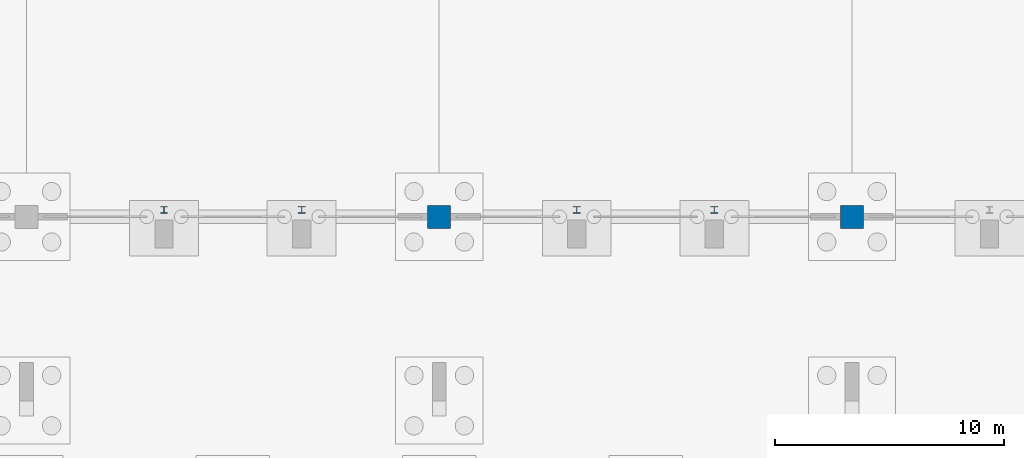
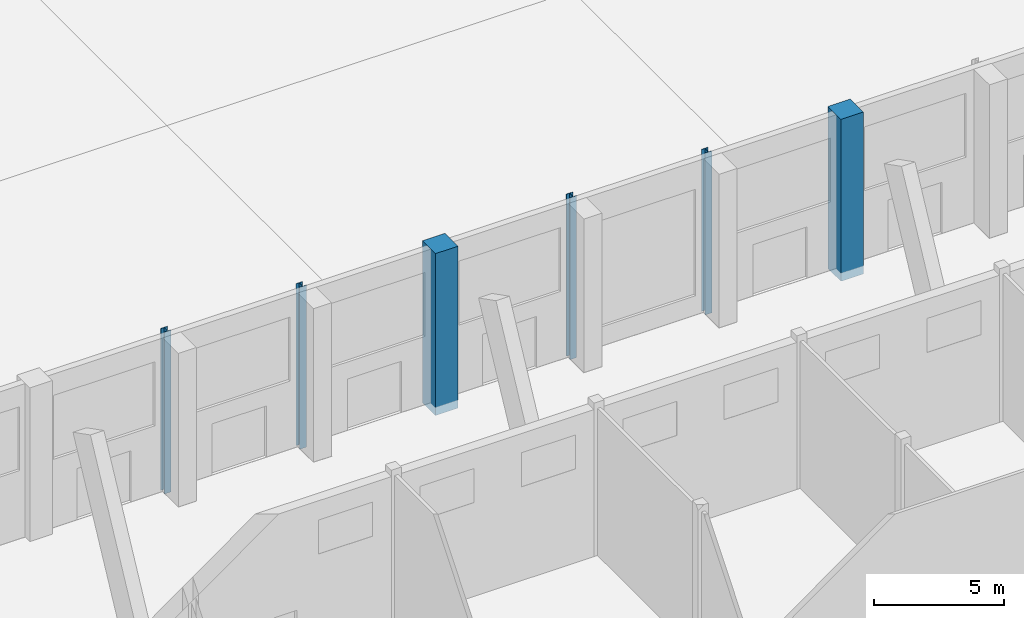
# One storey, part 31 of 239: 6 columns.
"""IFC4 building model written with IfcOpenShell, lengths in metres."""

import ifcopenshell
import ifcopenshell.guid

model = None  # the IFC model being written
_history = None  # IfcOwnerHistory: only IFC2X3 demands one
_inside = {}  # id of a spatial element -> (the spatial element, [elements in it])
_under = {}  # id of a project, library or spatial element -> (it, [spatial elements below it])
_declared = {}  # id of a project -> (the project, [libraries it declares])
_typed = {}  # id of a type object -> (the type object, [elements of that type])
_made_of = {}  # id of a material, layer set ... -> (it, [elements and type objects made of it])


def new_model(schema):
    """Start an empty IFC model of exactly this schema.

    Asked for "IFC4X3", IfcOpenShell would pick the latest addendum, in which some entities
    have other attributes; the version numbers below select the first issue.
    IFC2X3 requires an IfcOwnerHistory on every rooted entity: one is made here for all.
    """
    global model, _history
    if schema == "IFC4X3":
        model = ifcopenshell.file(schema_version=(4, 3, 0, 0))
    else:
        model = ifcopenshell.file(schema=schema)
    _inside.clear()
    _under.clear()
    _declared.clear()
    _typed.clear()
    _made_of.clear()
    _history = None
    if model.schema == "IFC2X3":
        org = make("IfcOrganization", Name="unknown")
        user = make(
            "IfcPersonAndOrganization",
            ThePerson=make("IfcPerson", FamilyName="unknown"),
            TheOrganization=org,
        )
        app = make(
            "IfcApplication",
            ApplicationDeveloper=org,
            Version="unknown",
            ApplicationFullName="unknown",
            ApplicationIdentifier="unknown",
        )
        _history = make(
            "IfcOwnerHistory",
            OwningUser=user,
            OwningApplication=app,
            ChangeAction="ADDED",
            CreationDate=0,
        )
    return model


def make(cls, **values):
    """One entity of the class cls with the attributes given. An attribute that is None is left unset."""
    return model.create_entity(
        cls, **{name: value for name, value in values.items() if value is not None}
    )


def rooted(cls, **values):
    """An entity with a GlobalId (a new one), such as an element, a storey or a relation."""
    return make(cls, GlobalId=ifcopenshell.guid.new(), OwnerHistory=_history, **values)


def si_unit(unit_type, name, prefix=None):
    """IfcSIUnit, for example si_unit("LENGTHUNIT", "METRE", prefix="MILLI")."""
    return make("IfcSIUnit", UnitType=unit_type, Prefix=prefix, Name=name)


def assignment(units):
    """IfcUnitAssignment: the units of a project."""
    return None if units is None else make("IfcUnitAssignment", Units=units)


def point(xyz):
    """IfcCartesianPoint."""
    return None if xyz is None else make("IfcCartesianPoint", Coordinates=xyz)


def direction(xyz):
    """IfcDirection."""
    return None if xyz is None else make("IfcDirection", DirectionRatios=xyz)


def frame(location, z_axis=None, x_axis=None):
    """IfcAxis2Placement3D, a coordinate frame: its origin and axes. An axis left out is left unset."""
    return make(
        "IfcAxis2Placement3D",
        Location=point(location),
        Axis=direction(z_axis),
        RefDirection=direction(x_axis),
    )


def frame_2d(location, x_axis=None):
    """IfcAxis2Placement2D, a coordinate frame in the plane: its origin and x axis."""
    return make(
        "IfcAxis2Placement2D", Location=point(location), RefDirection=direction(x_axis)
    )


def origin():
    """The frame at (0, 0, 0) with its axes left unset."""
    return frame((0.0, 0.0, 0.0))


def origin_2d():
    """The frame at (0, 0) in the plane with its x axis left unset."""
    return frame_2d((0.0, 0.0))


def place(relative_to, where):
    """IfcLocalPlacement: puts the frame where relative to a parent placement (None: the world)."""
    return make(
        "IfcLocalPlacement", PlacementRelTo=relative_to, RelativePlacement=where
    )


def context(
    kind, dimensions, precision=None, world=None, true_north=None, identifier=None
):
    """IfcGeometricRepresentationContext, for example the 3D "Model" context."""
    return make(
        "IfcGeometricRepresentationContext",
        ContextIdentifier=identifier,
        ContextType=kind,
        CoordinateSpaceDimension=dimensions,
        Precision=precision,
        WorldCoordinateSystem=world,
        TrueNorth=true_north,
    )


def subcontext(parent, identifier, kind, view, scale=None):
    """IfcGeometricRepresentationSubContext, for example "Body" below "Model"."""
    return make(
        "IfcGeometricRepresentationSubContext",
        ContextIdentifier=identifier,
        ContextType=kind,
        ParentContext=parent,
        TargetScale=scale,
        TargetView=view,
    )


def project(units=None, contexts=None):
    """IfcProject with its units and contexts."""
    return rooted(
        "IfcProject",
        Name="project",
        RepresentationContexts=contexts,
        UnitsInContext=assignment(units),
    )


def spatial(cls, under=None, at=None, **own):
    """A site, building, storey or space (cls), placed at a placement, below another one or the project."""
    s = rooted(cls, ObjectPlacement=at, **own)
    if under is not None:
        _under.setdefault(under.id(), (under, []))[1].append(s)
    return s


def profile(cls, at=None, kind="AREA", **sizes):
    """A parametric profile (cls). Its sizes go by their IFC names, for example OverallWidth=200.0."""
    return make(cls, ProfileType=kind, Position=at, **sizes)


def rectangle(**sizes):
    """IfcRectangleProfileDef."""
    return profile("IfcRectangleProfileDef", **sizes)


def i_section(**sizes):
    """IfcIShapeProfileDef."""
    return profile("IfcIShapeProfileDef", **sizes)


def extrude(swept, where, along, depth):
    """IfcExtrudedAreaSolid: the profile swept, set in the frame where, extruded along a direction by depth."""
    return make(
        "IfcExtrudedAreaSolid",
        SweptArea=swept,
        Position=where,
        ExtrudedDirection=direction(along),
        Depth=depth,
    )


def shape(context_of_items, identifier, shape_type, items):
    """IfcShapeRepresentation: the items that make up one representation, for example the "Body"."""
    return make(
        "IfcShapeRepresentation",
        ContextOfItems=context_of_items,
        RepresentationIdentifier=identifier,
        RepresentationType=shape_type,
        Items=items,
    )


def material(Name=None, Category=None):
    """IfcMaterial."""
    return make("IfcMaterial", Name=Name, Category=Category)


def material_profile(
    of_material, cross_section, Name=None, Category=None, Priority=None
):
    """IfcMaterialProfile: a cross section and its material."""
    return make(
        "IfcMaterialProfile",
        Name=Name,
        Material=of_material,
        Profile=cross_section,
        Priority=Priority,
        Category=Category,
    )


def profile_set(profiles, Name=None, composite=None):
    """IfcMaterialProfileSet."""
    return make(
        "IfcMaterialProfileSet",
        Name=Name,
        MaterialProfiles=profiles,
        CompositeProfile=composite,
    )


def made_of(thing, what):
    """Note that an element or type object is made of a material, layer set ...; save() writes the relation."""
    if what is not None:
        _made_of.setdefault(what.id(), (what, []))[1].append(thing)
    return thing


def type_object(cls, material=None, **own):
    """A type object (cls), such as IfcWallType, which elements share."""
    return made_of(rooted(cls, **own), material)


def element(
    cls,
    number,
    at=None,
    inside=None,
    cuts=None,
    type_object=None,
    material=None,
    context=None,
    identifier="Body",
    shape_type=None,
    held_by="IfcProductDefinitionShape",
    body=None,
    shapes=None,
    **own,
):
    """One element of the class cls, such as IfcWall. Its Tag is "e" and its number.

    at: its placement. inside: the storey or other place that contains it. cuts: it is an
    opening in that element (IfcRelVoidsElement). A single representation is given by context,
    identifier, shape_type and body (its items); several are given by shapes. held_by: the class
    of the entity that holds the representations. save() writes the other relations.
    """
    e = rooted(cls, Tag="e%d" % number, ObjectPlacement=at, **own)
    if body is not None:
        shapes = [shape(context, identifier, shape_type, body)]
    if shapes is not None:
        e.Representation = make(held_by, Representations=shapes)
    if inside is not None:
        _inside.setdefault(inside.id(), (inside, []))[1].append(e)
    if cuts is not None:
        rooted(
            "IfcRelVoidsElement", RelatingBuildingElement=cuts, RelatedOpeningElement=e
        )
    if type_object is not None:
        _typed.setdefault(type_object.id(), (type_object, []))[1].append(e)
    return made_of(e, material)


def aggregate(whole, parts):
    """IfcRelAggregates: a whole, such as a stair, and the parts it consists of."""
    return rooted("IfcRelAggregates", RelatingObject=whole, RelatedObjects=parts)


def save(model, path):
    """Write the relations noted so far, then the file.

    IfcRelAggregates (storeys below a building ...), IfcRelContainedInSpatialStructure (elements
    in a storey), IfcRelDefinesByType, IfcRelAssociatesMaterial and IfcRelDeclares: one each for
    every whole, place, type object, material and project.
    """
    for whole, parts in _under.values():
        aggregate(whole, parts)
    for where, things in _inside.values():
        rooted(
            "IfcRelContainedInSpatialStructure",
            RelatedElements=things,
            RelatingStructure=where,
        )
    for kind, things in _typed.values():
        rooted("IfcRelDefinesByType", RelatedObjects=things, RelatingType=kind)
    for what, things in _made_of.values():
        rooted("IfcRelAssociatesMaterial", RelatedObjects=things, RelatingMaterial=what)
    for by, libraries in _declared.values():
        rooted("IfcRelDeclares", RelatingContext=by, RelatedDefinitions=libraries)
    model.write(path)


model = new_model("IFC4")

# Units and contexts
model_context = context("Model", 3, precision=1e-05, world=origin(), true_north=direction((0.0, 1.0)))
body_context = subcontext(model_context, "Body", "Model", "MODEL_VIEW")
ifc_project = project(units=[si_unit("LENGTHUNIT", "METRE"), si_unit("AREAUNIT", "SQUARE_METRE"), si_unit("VOLUMEUNIT", "CUBIC_METRE"), si_unit("PLANEANGLEUNIT", "RADIAN"), si_unit("MASSUNIT", "GRAM", prefix="KILO")], contexts=[model_context])

# Site, building, storey
site_placement = place(None, origin())
site = spatial("IfcSite", under=ifc_project, at=site_placement, CompositionType="ELEMENT")
building_placement = place(site_placement, origin())
building = spatial("IfcBuilding", under=site, at=building_placement, Name="Okhra Congress Centre", CompositionType="ELEMENT")
storey_placement = place(building_placement, origin())
storey = spatial("IfcBuildingStorey", under=building, at=storey_placement, Name="L00", CompositionType="ELEMENT", Elevation=0.0)

# Columns
ifc_material_1 = material(Name="Steel S355J2", Category="steel")
ifc_material_profile_1 = material_profile(ifc_material_1, i_section(OverallWidth=0.300048828125, OverallDepth=0.2900390625, WebThickness=0.008544921875, FlangeThickness=0.013916015625, at=origin_2d()), Name="HE 300 A")
ifc_profile_set_1 = profile_set([ifc_material_profile_1], Name="Steel S355J2")
column_type_1 = type_object("IfcColumnType", Name="HE 300 A", PredefinedType="COLUMN", material=ifc_profile_set_1)
for number, where, z_axis, x_axis, name in (
    (1, (70.0, 132.300048828125, -0.39990234375), (0.0, 0.0, 1.0), (1.0, 0.0, 0.0), "EH.COL.L00.WP5"),
    (2, (76.0, 132.300048828125, -0.39990234375), (0.0, 0.0, 1.0), (1.0, 0.0, 0.0), "EH.COL.L00.WP6"),
    (3, (88.0, 132.300048828125, -0.39990234375), (0.0, 0.0, 1.0), (1.0, 0.0, 0.0), "EH.COL.L00.WP7"),
    (4, (94.0, 132.300048828125, -0.39990234375), (0.0, 0.0, 1.0), (1.0, 0.0, 0.0), "EH.COL.L00.WP8"),
):
    element("IfcColumn", number, at=place(storey_placement, frame(where, z_axis=z_axis, x_axis=x_axis)), inside=storey, type_object=column_type_1, Name=name, PredefinedType="COLUMN", context=body_context, shape_type="SweptSolid", body=[
        extrude(i_section(OverallWidth=0.300048828125, OverallDepth=0.2900390625, WebThickness=0.008544921875, FlangeThickness=0.013916015625, at=origin_2d()), origin(), (0.0, 0.0, 1.0), 7.599853515625),
    ])
ifc_material_2 = material(Name="Concrete C40/50", Category="concrete")
ifc_material_profile_2 = material_profile(ifc_material_2, rectangle(XDim=1.0, YDim=1.0, at=origin_2d()), Name="RC 1000x1000")
ifc_profile_set_2 = profile_set([ifc_material_profile_2], Name="Concrete C40/50")
column_type_2 = type_object("IfcColumnType", Name="RC column 1000x1000 C40/50", PredefinedType="COLUMN", material=ifc_profile_set_2)
for number, where, z_axis, x_axis, name in (
    (5, (82.0, 132.0, -0.39990234375), (0.0, 0.0, 1.0), (1.0, 0.0, 0.0), "EH.COL.L00.SC7"),
    (6, (100.0, 132.0, -0.39990234375), (0.0, 0.0, 1.0), (1.0, 0.0, 0.0), "EH.COL.L00.SC9"),
):
    element("IfcColumn", number, at=place(storey_placement, frame(where, z_axis=z_axis, x_axis=x_axis)), inside=storey, type_object=column_type_2, Name=name, PredefinedType="COLUMN", context=body_context, shape_type="SweptSolid", body=[
        extrude(rectangle(XDim=1.0, YDim=1.0, at=origin_2d()), origin(), (0.0, 0.0, 1.0), 7.599853515625),
    ])

save(model, "model.ifc")
